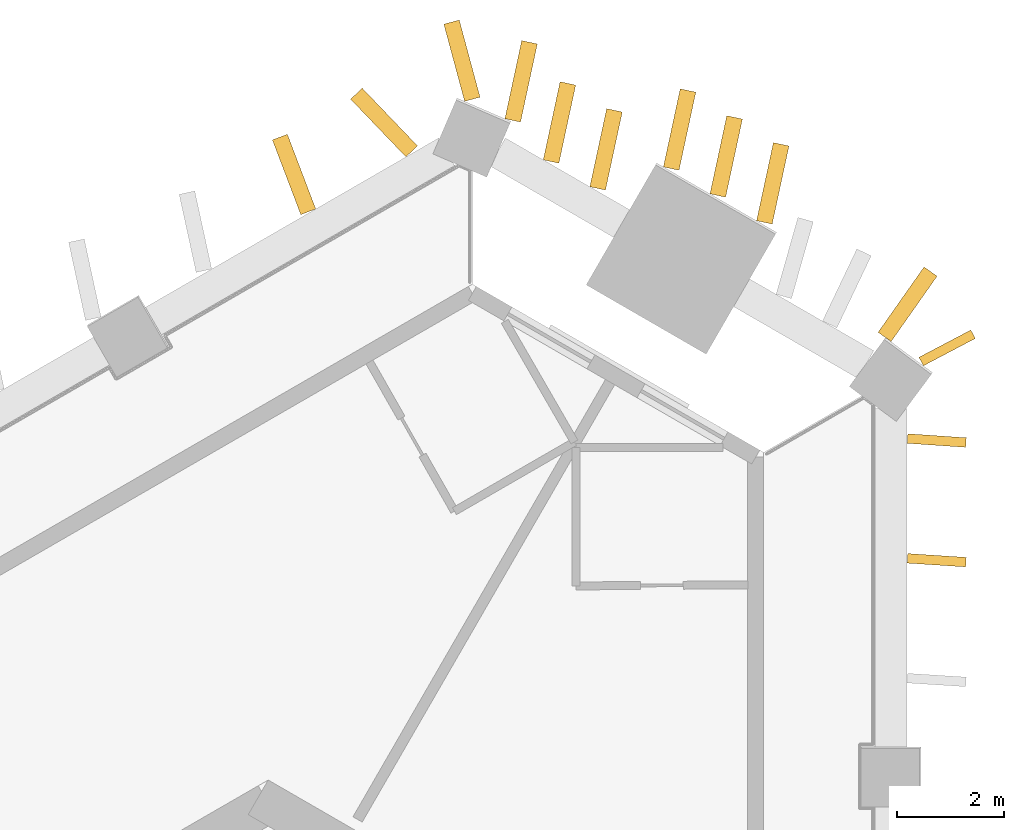
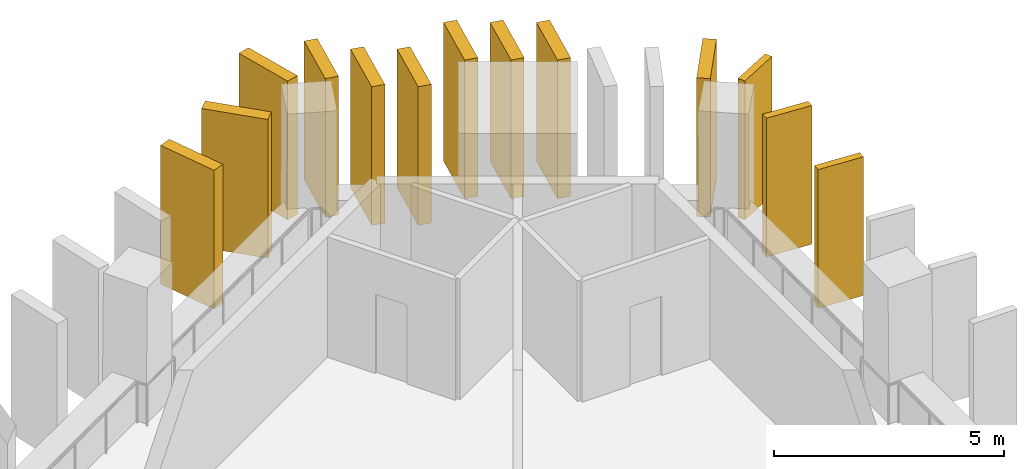
# One storey, part 11 of 11: 13 shading devices.
"""IFC4 building model written with IfcOpenShell, lengths in metres."""

from ifc_helpers import new_model, si_unit, direction, frame, frame_2d, origin, place, context, subcontext, project, spatial, rectangle, extrude, material, layer, layer_set, type_object, element, save


model = new_model("IFC4")

# Units and contexts
model_context = context("Model", 3, precision=1e-05, world=origin(), true_north=direction((0.0, 1.0)))
body_context = subcontext(model_context, "Body", "Model", "MODEL_VIEW")
ifc_project = project(units=[si_unit("LENGTHUNIT", "METRE"), si_unit("AREAUNIT", "SQUARE_METRE"), si_unit("VOLUMEUNIT", "CUBIC_METRE"), si_unit("PLANEANGLEUNIT", "RADIAN"), si_unit("MASSUNIT", "GRAM", prefix="KILO")], contexts=[model_context])

# Site, building, storey
site_placement = place(None, origin())
site = spatial("IfcSite", under=ifc_project, at=site_placement, CompositionType="ELEMENT")
building_placement = place(site_placement, origin())
building = spatial("IfcBuilding", under=site, at=building_placement, Name="Jabali Bay Hotel Tower and Convention Centre", CompositionType="ELEMENT")
storey_placement = place(building_placement, frame((0.0, 0.0, 61.0)))
storey = spatial("IfcBuildingStorey", under=building, at=storey_placement, Name="L13", CompositionType="ELEMENT", Elevation=61.0)

# Shading devices
ifc_material = material(Name="Precast concrete C60", Category="concrete")
ifc_layer_1 = layer(ifc_material, 0.179931640625)
ifc_layer_set_1 = layer_set([ifc_layer_1], Name="Precast concrete C60")
shading_device_type_1 = type_object("IfcShadingDeviceType", Name="Precast fin 3680 x 1100", PredefinedType="USERDEFINED", material=ifc_layer_set_1)
for number, where, z_axis, x_axis, name in (
    (1, (98.722412109375, 108.111572265625, 0.010009765625), (0.0, 0.0, 1.0), (0.997883238209, -0.065031091814, 0.0), "Fin L13 026"),
    (2, (98.72265625, 110.3603515625, 0.010009765625), (0.0, 0.0, 1.0), (0.997660699336, -0.068360288186, 0.0), "Fin L13 027"),
    (3, (98.979248046875, 111.805419921875, 0.010009765625), (0.0, 0.0, 1.0), (0.884865259748, 0.465847047958, 0.0), "Fin L13 112"),
):
    element("IfcShadingDevice", number, at=place(storey_placement, frame(where, z_axis=z_axis, x_axis=x_axis)), inside=storey, type_object=shading_device_type_1, Name=name, ObjectType="FIN", PredefinedType="USERDEFINED", context=body_context, shape_type="SweptSolid", body=[
        extrude(rectangle(XDim=1.10009765625, YDim=0.179931640625, at=frame_2d((0.550048828125, 0.0))), origin(), (0.0, 0.0, 1.0), 3.679931640625),
    ])
ifc_layer_2 = layer(ifc_material, 0.300048828125)
ifc_layer_set_2 = layer_set([ifc_layer_2], Name="Precast concrete C60")
shading_device_type_2 = type_object("IfcShadingDeviceType", Name="Precast fin 3680 x 1500", PredefinedType="USERDEFINED", material=ifc_layer_set_2)
shading_device_1_placement = place(storey_placement, frame((98.292724609375, 112.26708984375, 0.010009765625), z_axis=(0.0, 0.0, 1.0), x_axis=(0.575263550423, 0.817968121356, 0.0)))
element("IfcShadingDevice", 4, at=shading_device_1_placement, inside=storey, type_object=shading_device_type_2, Name="Fin L13 028", ObjectType="FIN", PredefinedType="USERDEFINED", context=body_context, shape_type="SweptSolid", body=[
    extrude(rectangle(XDim=1.499755859375, YDim=0.300048828125, at=frame_2d((0.75, 0.0))), origin(), (0.0, 0.0, 1.0), 3.679931640625),
])
for number, where, z_axis, x_axis, name in (
    (5, (96.036376953125, 114.416748046875, 0.010009765625), (0.0, 0.0, 1.0), (0.210273710971, 0.977642555577, 0.0), "Fin L13 031"),
    (6, (95.162109375, 114.921630859375, 0.010009765625), (0.0, 0.0, 1.0), (0.210118148459, 0.977676001387, 0.0), "Fin L13 032"),
):
    element("IfcShadingDevice", number, at=place(storey_placement, frame(where, z_axis=z_axis, x_axis=x_axis)), inside=storey, type_object=shading_device_type_2, Name=name, ObjectType="FIN", PredefinedType="USERDEFINED", context=body_context, shape_type="SweptSolid", body=[
        extrude(rectangle(XDim=1.5, YDim=0.300048828125, at=frame_2d((0.75, 0.0))), origin(), (0.0, 0.0, 1.0), 3.679931640625),
    ])
shading_device_2_placement = place(storey_placement, frame((94.28759765625, 115.426513671875, 0.010009765625), z_axis=(0.0, 0.0, 1.0), x_axis=(0.210307173215, 0.977635357838, 0.0)))
element("IfcShadingDevice", 7, at=shading_device_2_placement, inside=storey, type_object=shading_device_type_2, Name="Fin L13 033", ObjectType="FIN", PredefinedType="USERDEFINED", context=body_context, shape_type="SweptSolid", body=[
    extrude(rectangle(XDim=1.499755859375, YDim=0.300048828125, at=frame_2d((0.75, 0.0))), origin(), (0.0, 0.0, 1.0), 3.679931640625),
])
for number, where, z_axis, x_axis, name in (
    (8, (92.906982421875, 115.054443359375, 0.010009765625), (0.0, 0.0, 1.0), (0.210273710971, 0.977642555577, 0.0), "Fin L13 034"),
    (9, (92.03271484375, 115.559326171875, 0.010009765625), (0.0, 0.0, 1.0), (0.210118148459, 0.977676001387, 0.0), "Fin L13 035"),
    (10, (91.312744140625, 116.33154296875, 0.010009765625), (0.0, 0.0, 1.0), (0.210118148459, 0.977676001387, 0.0), "Fin L13 036"),
    (11, (89.416748046875, 115.750244140625, 0.010009765625), (0.0, 0.0, 1.0), (-0.692057355833, 0.721842514845, 0.0), "Fin L13 037"),
    (12, (87.47509765625, 114.61572265625, 0.010009765625), (0.0, 0.0, 1.0), (-0.355115365705, 0.93482248424, 0.0), "Fin L13 038"),
):
    element("IfcShadingDevice", number, at=place(storey_placement, frame(where, z_axis=z_axis, x_axis=x_axis)), inside=storey, type_object=shading_device_type_2, Name=name, ObjectType="FIN", PredefinedType="USERDEFINED", context=body_context, shape_type="SweptSolid", body=[
        extrude(rectangle(XDim=1.5, YDim=0.300048828125, at=frame_2d((0.75, 0.0))), origin(), (0.0, 0.0, 1.0), 3.679931640625),
    ])
shading_device_3_placement = place(storey_placement, frame((90.5546875, 116.728515625, 0.010009765625), z_axis=(0.0, 0.0, 1.0), x_axis=(-0.260224424023, 0.965548159929, 0.0)))
element("IfcShadingDevice", 13, at=shading_device_3_placement, inside=storey, type_object=shading_device_type_2, Name="Fin L13 113", ObjectType="FIN", PredefinedType="USERDEFINED", context=body_context, shape_type="SweptSolid", body=[
    extrude(rectangle(XDim=1.500244140625, YDim=0.300048828125, at=frame_2d((0.75, 0.0))), origin(), (0.0, 0.0, 1.0), 3.679931640625),
])

save(model, "model.ifc")
